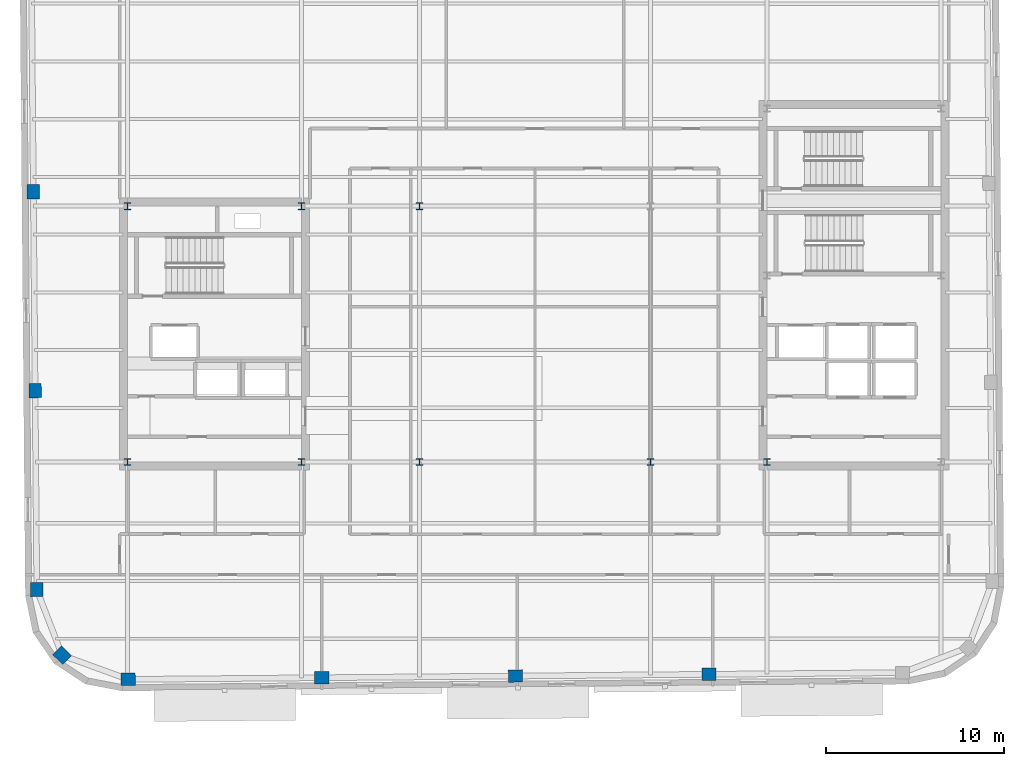
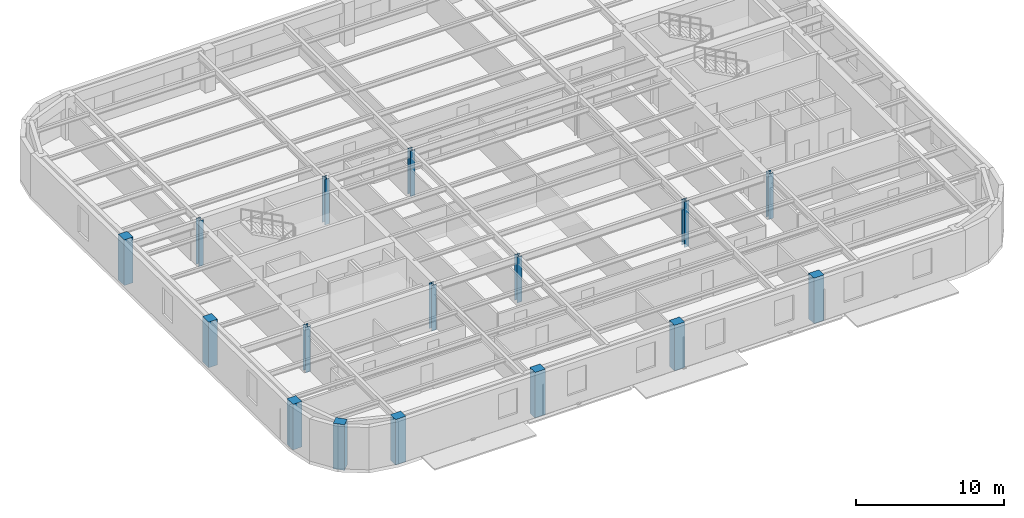
# One storey, part 1 of 14: 16 columns.
"""IFC4 building model written with IfcOpenShell, lengths in metres."""

from ifc_helpers import new_model, si_unit, direction, frame, origin, origin_2d, place, context, subcontext, project, spatial, rectangle, i_section, extrude, material, material_profile, profile_set, type_object, element, save


model = new_model("IFC4")

# Units and contexts
model_context = context("Model", 3, precision=1e-05, world=origin(), true_north=direction((0.0, 1.0)))
body_context = subcontext(model_context, "Body", "Model", "MODEL_VIEW")
ifc_project = project(units=[si_unit("LENGTHUNIT", "METRE"), si_unit("AREAUNIT", "SQUARE_METRE"), si_unit("VOLUMEUNIT", "CUBIC_METRE"), si_unit("PLANEANGLEUNIT", "RADIAN"), si_unit("MASSUNIT", "GRAM", prefix="KILO")], contexts=[model_context])

# Site, building, storey
site_placement = place(None, origin())
site = spatial("IfcSite", under=ifc_project, at=site_placement, CompositionType="ELEMENT")
building_placement = place(site_placement, origin())
building = spatial("IfcBuilding", under=site, at=building_placement, Name="Kolvaren Arena Tower", CompositionType="ELEMENT")
storey_placement = place(building_placement, frame((0.0, 0.0, 289.89990234375)))
storey = spatial("IfcBuildingStorey", under=building, at=storey_placement, Name="L71", CompositionType="ELEMENT", Elevation=289.89990234375)

# Columns
ifc_material_1 = material(Name="Precast concrete C50/60", Category="concrete")
ifc_material_profile_1 = material_profile(ifc_material_1, rectangle(XDim=0.800048828125, YDim=0.699951171875, at=origin_2d()), Name="RC-800x700")
ifc_profile_set_1 = profile_set([ifc_material_profile_1], Name="Precast concrete C50/60")
column_type_1 = type_object("IfcColumnType", Name="EXCOL-Z5", PredefinedType="COLUMN", material=ifc_profile_set_1)
for number, where, z_axis, x_axis, name in (
    (1, (14.591796875, 7.210693359375, -0.27001953125), (0.0, 0.0, 1.0), (0.999961923064, 0.008726535498, 0.0), "Exoskeleton Perimeter Column 01 (L71)"),
    (2, (25.491455078125, 7.3056640625, -0.27001953125), (0.0, 0.0, 1.0), (0.999961923064, 0.008726535498, 0.0), "Exoskeleton Perimeter Column 02 (L71)"),
    (3, (36.39111328125, 7.40087890625, -0.27001953125), (0.0, 0.0, 1.0), (0.999961923064, 0.008726535498, 0.0), "Exoskeleton Perimeter Column 03 (L71)"),
    (4, (47.290771484375, 7.49609375, -0.27001953125), (0.0, 0.0, 1.0), (0.999961923064, 0.008726535498, 0.0), "Exoskeleton Perimeter Column 04 (L71)"),
    (5, (9.252197265625, 34.6650390625, -0.27001953125), (0.0, 0.0, 1.0), (-0.008726535498, 0.999961923064, 0.0), "Exoskeleton Perimeter Column 19 (L71)"),
    (6, (9.349853515625, 23.465576171875, -0.27001953125), (0.0, 0.0, 1.0), (-0.008726535498, 0.999961923064, 0.0), "Exoskeleton Perimeter Column 20 (L71)"),
    (7, (9.447509765625, 12.265869140625, -0.27001953125), (0.0, 0.0, 1.0), (-0.008726535498, 0.999961923064, 0.0), "Exoskeleton Perimeter Column 21 (L71)"),
    (8, (10.87109375, 8.5693359375, -0.27001953125), (0.0, 0.0, 1.0), (-0.713250449154, 0.7009092643, 0.0), "Exoskeleton Perimeter Column 22 (L71)"),
):
    element("IfcColumn", number, at=place(storey_placement, frame(where, z_axis=z_axis, x_axis=x_axis)), inside=storey, type_object=column_type_1, Name=name, PredefinedType="COLUMN", context=body_context, shape_type="SweptSolid", body=[
        extrude(rectangle(XDim=0.800048828125, YDim=0.699951171875, at=origin_2d()), origin(), (0.0, 0.0, 1.0), 3.75),
    ])
ifc_material_2 = material(Name="Steel ASTM A913 Grade 65", Category="steel")
ifc_material_profile_2 = material_profile(ifc_material_2, i_section(OverallWidth=0.3740234375, OverallDepth=0.3720703125, WebThickness=0.016357421875, FlangeThickness=0.026123046875, FilletRadius=0.02001953125, at=origin_2d()), Name="W360x196")
ifc_profile_set_2 = profile_set([ifc_material_profile_2], Name="Steel ASTM A913 Grade 65")
column_type_2 = type_object("IfcColumnType", Name="SCOL-Z5", PredefinedType="COLUMN", material=ifc_profile_set_2)
for number, where, z_axis, x_axis, name in (
    (9, (14.550048828125, 19.449951171875, -0.27001953125), (0.0, 0.0, 1.0), (1.0, 0.0, 0.0), "Core Boundary Column WC-SW (L71)"),
    (10, (24.35009765625, 19.449951171875, -0.27001953125), (0.0, 0.0, 1.0), (1.0, 0.0, 0.0), "Core Boundary Column WC-SE (L71)"),
    (11, (14.550048828125, 33.85009765625, -0.27001953125), (0.0, 0.0, 1.0), (1.0, 0.0, 0.0), "Core Boundary Column WC-NW (L71)"),
    (12, (24.35009765625, 33.85009765625, -0.27001953125), (0.0, 0.0, 1.0), (1.0, 0.0, 0.0), "Core Boundary Column WC-NE (L71)"),
    (13, (50.550048828125, 19.449951171875, -0.27001953125), (0.0, 0.0, 1.0), (1.0, 0.0, 0.0), "Core Boundary Column EC-SW (L71)"),
    (14, (31.0, 19.449951171875, -0.27001953125), (0.0, 0.0, 1.0), (1.0, 0.0, 0.0), "Interior Gravity Column TC-SW (L71)"),
    (15, (44.0, 19.449951171875, -0.27001953125), (0.0, 0.0, 1.0), (1.0, 0.0, 0.0), "Interior Gravity Column TC-SE (L71)"),
    (16, (31.0, 33.85009765625, -0.27001953125), (0.0, 0.0, 1.0), (1.0, 0.0, 0.0), "Interior Gravity Column TC-NW (L71)"),
):
    element("IfcColumn", number, at=place(storey_placement, frame(where, z_axis=z_axis, x_axis=x_axis)), inside=storey, type_object=column_type_2, Name=name, PredefinedType="COLUMN", context=body_context, shape_type="SweptSolid", body=[
        extrude(i_section(OverallWidth=0.3740234375, OverallDepth=0.3720703125, WebThickness=0.016357421875, FlangeThickness=0.026123046875, FilletRadius=0.02001953125, at=origin_2d()), origin(), (0.0, 0.0, 1.0), 3.75),
    ])

save(model, "model.ifc")
